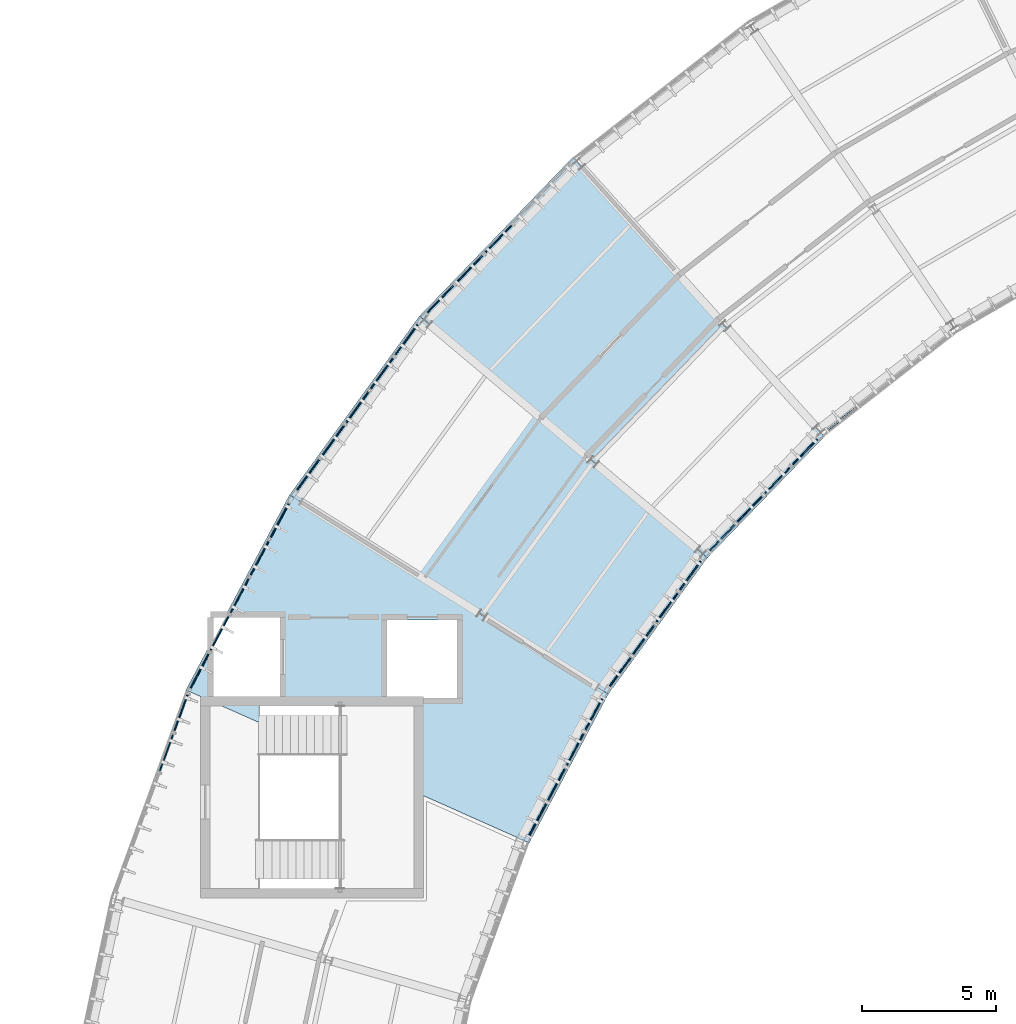
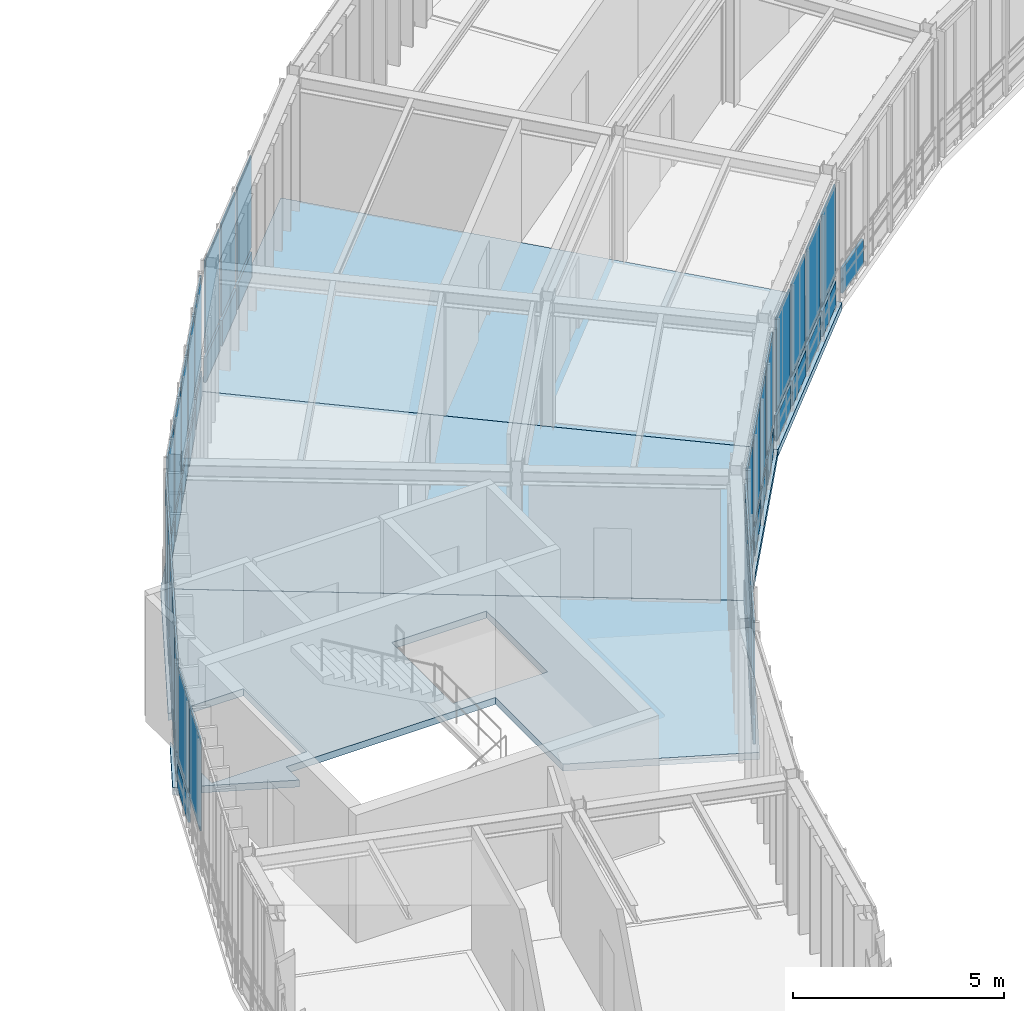
# One storey, part 18 of 42: 54 plates, 3 slabs, 8 elements without a shape of their own.
"""IFC4 building model written with IfcOpenShell, lengths in metres."""

import ifcopenshell
import ifcopenshell.guid

model = None  # the IFC model being written
_history = None  # IfcOwnerHistory: only IFC2X3 demands one
_inside = {}  # id of a spatial element -> (the spatial element, [elements in it])
_under = {}  # id of a project, library or spatial element -> (it, [spatial elements below it])
_declared = {}  # id of a project -> (the project, [libraries it declares])
_typed = {}  # id of a type object -> (the type object, [elements of that type])
_made_of = {}  # id of a material, layer set ... -> (it, [elements and type objects made of it])


def new_model(schema):
    """Start an empty IFC model of exactly this schema.

    Asked for "IFC4X3", IfcOpenShell would pick the latest addendum, in which some entities
    have other attributes; the version numbers below select the first issue.
    IFC2X3 requires an IfcOwnerHistory on every rooted entity: one is made here for all.
    """
    global model, _history
    if schema == "IFC4X3":
        model = ifcopenshell.file(schema_version=(4, 3, 0, 0))
    else:
        model = ifcopenshell.file(schema=schema)
    _inside.clear()
    _under.clear()
    _declared.clear()
    _typed.clear()
    _made_of.clear()
    _history = None
    if model.schema == "IFC2X3":
        org = make("IfcOrganization", Name="unknown")
        user = make(
            "IfcPersonAndOrganization",
            ThePerson=make("IfcPerson", FamilyName="unknown"),
            TheOrganization=org,
        )
        app = make(
            "IfcApplication",
            ApplicationDeveloper=org,
            Version="unknown",
            ApplicationFullName="unknown",
            ApplicationIdentifier="unknown",
        )
        _history = make(
            "IfcOwnerHistory",
            OwningUser=user,
            OwningApplication=app,
            ChangeAction="ADDED",
            CreationDate=0,
        )
    return model


def make(cls, **values):
    """One entity of the class cls with the attributes given. An attribute that is None is left unset."""
    return model.create_entity(
        cls, **{name: value for name, value in values.items() if value is not None}
    )


def rooted(cls, **values):
    """An entity with a GlobalId (a new one), such as an element, a storey or a relation."""
    return make(cls, GlobalId=ifcopenshell.guid.new(), OwnerHistory=_history, **values)


def si_unit(unit_type, name, prefix=None):
    """IfcSIUnit, for example si_unit("LENGTHUNIT", "METRE", prefix="MILLI")."""
    return make("IfcSIUnit", UnitType=unit_type, Prefix=prefix, Name=name)


def assignment(units):
    """IfcUnitAssignment: the units of a project."""
    return None if units is None else make("IfcUnitAssignment", Units=units)


def point(xyz):
    """IfcCartesianPoint."""
    return None if xyz is None else make("IfcCartesianPoint", Coordinates=xyz)


def direction(xyz):
    """IfcDirection."""
    return None if xyz is None else make("IfcDirection", DirectionRatios=xyz)


def frame(location, z_axis=None, x_axis=None):
    """IfcAxis2Placement3D, a coordinate frame: its origin and axes. An axis left out is left unset."""
    return make(
        "IfcAxis2Placement3D",
        Location=point(location),
        Axis=direction(z_axis),
        RefDirection=direction(x_axis),
    )


def frame_2d(location, x_axis=None):
    """IfcAxis2Placement2D, a coordinate frame in the plane: its origin and x axis."""
    return make(
        "IfcAxis2Placement2D", Location=point(location), RefDirection=direction(x_axis)
    )


def origin():
    """The frame at (0, 0, 0) with its axes left unset."""
    return frame((0.0, 0.0, 0.0))


def origin_2d():
    """The frame at (0, 0) in the plane with its x axis left unset."""
    return frame_2d((0.0, 0.0))


def place(relative_to, where):
    """IfcLocalPlacement: puts the frame where relative to a parent placement (None: the world)."""
    return make(
        "IfcLocalPlacement", PlacementRelTo=relative_to, RelativePlacement=where
    )


def context(
    kind, dimensions, precision=None, world=None, true_north=None, identifier=None
):
    """IfcGeometricRepresentationContext, for example the 3D "Model" context."""
    return make(
        "IfcGeometricRepresentationContext",
        ContextIdentifier=identifier,
        ContextType=kind,
        CoordinateSpaceDimension=dimensions,
        Precision=precision,
        WorldCoordinateSystem=world,
        TrueNorth=true_north,
    )


def subcontext(parent, identifier, kind, view, scale=None):
    """IfcGeometricRepresentationSubContext, for example "Body" below "Model"."""
    return make(
        "IfcGeometricRepresentationSubContext",
        ContextIdentifier=identifier,
        ContextType=kind,
        ParentContext=parent,
        TargetScale=scale,
        TargetView=view,
    )


def project(units=None, contexts=None):
    """IfcProject with its units and contexts."""
    return rooted(
        "IfcProject",
        Name="project",
        RepresentationContexts=contexts,
        UnitsInContext=assignment(units),
    )


def spatial(cls, under=None, at=None, **own):
    """A site, building, storey or space (cls), placed at a placement, below another one or the project."""
    s = rooted(cls, ObjectPlacement=at, **own)
    if under is not None:
        _under.setdefault(under.id(), (under, []))[1].append(s)
    return s


def polyline(points):
    """IfcPolyline through the points."""
    return make("IfcPolyline", Points=[point(p) for p in points])


def profile(cls, at=None, kind="AREA", **sizes):
    """A parametric profile (cls). Its sizes go by their IFC names, for example OverallWidth=200.0."""
    return make(cls, ProfileType=kind, Position=at, **sizes)


def rectangle(**sizes):
    """IfcRectangleProfileDef."""
    return profile("IfcRectangleProfileDef", **sizes)


def outline(outer, holes=None, kind="AREA"):
    """IfcArbitraryClosedProfileDef: a profile drawn as a closed curve; with holes, ...WithVoids."""
    if holes is None:
        return make("IfcArbitraryClosedProfileDef", ProfileType=kind, OuterCurve=outer)
    return make(
        "IfcArbitraryProfileDefWithVoids",
        ProfileType=kind,
        OuterCurve=outer,
        InnerCurves=holes,
    )


def extrude(swept, where, along, depth):
    """IfcExtrudedAreaSolid: the profile swept, set in the frame where, extruded along a direction by depth."""
    return make(
        "IfcExtrudedAreaSolid",
        SweptArea=swept,
        Position=where,
        ExtrudedDirection=direction(along),
        Depth=depth,
    )


def shape(context_of_items, identifier, shape_type, items):
    """IfcShapeRepresentation: the items that make up one representation, for example the "Body"."""
    return make(
        "IfcShapeRepresentation",
        ContextOfItems=context_of_items,
        RepresentationIdentifier=identifier,
        RepresentationType=shape_type,
        Items=items,
    )


def material(Name=None, Category=None):
    """IfcMaterial."""
    return make("IfcMaterial", Name=Name, Category=Category)


def layer(
    of_material, thickness, ventilated=None, Name=None, Category=None, Priority=None
):
    """IfcMaterialLayer: one layer of a wall or slab, of a material (None: an air gap)."""
    return make(
        "IfcMaterialLayer",
        Material=of_material,
        LayerThickness=thickness,
        IsVentilated=ventilated,
        Name=Name,
        Category=Category,
        Priority=Priority,
    )


def layer_set(layers, Name=None):
    """IfcMaterialLayerSet."""
    return make("IfcMaterialLayerSet", MaterialLayers=layers, LayerSetName=Name)


def made_of(thing, what):
    """Note that an element or type object is made of a material, layer set ...; save() writes the relation."""
    if what is not None:
        _made_of.setdefault(what.id(), (what, []))[1].append(thing)
    return thing


def type_object(cls, material=None, **own):
    """A type object (cls), such as IfcWallType, which elements share."""
    return made_of(rooted(cls, **own), material)


def element(
    cls,
    number,
    at=None,
    inside=None,
    cuts=None,
    type_object=None,
    material=None,
    context=None,
    identifier="Body",
    shape_type=None,
    held_by="IfcProductDefinitionShape",
    body=None,
    shapes=None,
    **own,
):
    """One element of the class cls, such as IfcWall. Its Tag is "e" and its number.

    at: its placement. inside: the storey or other place that contains it. cuts: it is an
    opening in that element (IfcRelVoidsElement). A single representation is given by context,
    identifier, shape_type and body (its items); several are given by shapes. held_by: the class
    of the entity that holds the representations. save() writes the other relations.
    """
    e = rooted(cls, Tag="e%d" % number, ObjectPlacement=at, **own)
    if body is not None:
        shapes = [shape(context, identifier, shape_type, body)]
    if shapes is not None:
        e.Representation = make(held_by, Representations=shapes)
    if inside is not None:
        _inside.setdefault(inside.id(), (inside, []))[1].append(e)
    if cuts is not None:
        rooted(
            "IfcRelVoidsElement", RelatingBuildingElement=cuts, RelatedOpeningElement=e
        )
    if type_object is not None:
        _typed.setdefault(type_object.id(), (type_object, []))[1].append(e)
    return made_of(e, material)


def aggregate(whole, parts):
    """IfcRelAggregates: a whole, such as a stair, and the parts it consists of."""
    return rooted("IfcRelAggregates", RelatingObject=whole, RelatedObjects=parts)


def save(model, path):
    """Write the relations noted so far, then the file.

    IfcRelAggregates (storeys below a building ...), IfcRelContainedInSpatialStructure (elements
    in a storey), IfcRelDefinesByType, IfcRelAssociatesMaterial and IfcRelDeclares: one each for
    every whole, place, type object, material and project.
    """
    for whole, parts in _under.values():
        aggregate(whole, parts)
    for where, things in _inside.values():
        rooted(
            "IfcRelContainedInSpatialStructure",
            RelatedElements=things,
            RelatingStructure=where,
        )
    for kind, things in _typed.values():
        rooted("IfcRelDefinesByType", RelatedObjects=things, RelatingType=kind)
    for what, things in _made_of.values():
        rooted("IfcRelAssociatesMaterial", RelatedObjects=things, RelatingMaterial=what)
    for by, libraries in _declared.values():
        rooted("IfcRelDeclares", RelatingContext=by, RelatedDefinitions=libraries)
    model.write(path)


model = new_model("IFC4")

# Units and contexts
model_context = context("Model", 3, precision=1e-05, world=origin(), true_north=direction((0.0, 1.0)))
body_context = subcontext(model_context, "Body", "Model", "MODEL_VIEW")
ifc_project = project(units=[si_unit("LENGTHUNIT", "METRE"), si_unit("AREAUNIT", "SQUARE_METRE"), si_unit("VOLUMEUNIT", "CUBIC_METRE"), si_unit("PLANEANGLEUNIT", "RADIAN"), si_unit("MASSUNIT", "GRAM", prefix="KILO"), si_unit("THERMODYNAMICTEMPERATUREUNIT", "KELVIN"), si_unit("POWERUNIT", "WATT")], contexts=[model_context])

# Site, building, storey
site_placement = place(None, origin())
site = spatial("IfcSite", under=ifc_project, at=site_placement, CompositionType="ELEMENT")
building_placement = place(site_placement, origin())
building = spatial("IfcBuilding", under=site, at=building_placement, Name="Solvatero Civic Police Headquarters", CompositionType="ELEMENT")
storey_placement = place(building_placement, frame((0.0, 0.0, 21.60009765625)))
storey = spatial("IfcBuildingStorey", under=building, at=storey_placement, Name="L05", CompositionType="ELEMENT", Elevation=21.60009765625)

# Curtain wall, plates
ifc_material_1 = material(Name="Anodized Bronze Aluminium", Category="aluminium")
ifc_layer_1 = layer(ifc_material_1, 0.179931640625)
ifc_layer_set_1 = layer_set([ifc_layer_1], Name="Anodized Bronze Aluminium")
curtain_wall_type_1 = type_object("IfcCurtainWallType", Name="CW-ARC-OUT", PredefinedType="USERDEFINED", material=ifc_layer_set_1)
curtain_wall_1_placement = place(storey_placement, origin())
curtain_wall_1 = element("IfcCurtainWall", 1, at=curtain_wall_1_placement, inside=storey, type_object=curtain_wall_type_1, Name="Curtain Wall CW-R2-L05-ARC-OUT-B07", ObjectType="UNITISED", PredefinedType="USERDEFINED")
ifc_material_2 = material(Name="Triple Low-E Laminated Glass", Category="glass")
ifc_layer_2 = layer(ifc_material_2, 0.0380859375)
ifc_layer_set_2 = layer_set([ifc_layer_2], Name="Triple Low-E Laminated Glass")
plate_type_1 = type_object("IfcPlateType", Name="CWP-GLZ-38", PredefinedType="CURTAIN_PANEL", material=ifc_layer_set_2)
plate_1_placement = place(storey_placement, frame((51.7451171875, 66.798095703125, 0.909912109375), z_axis=(0.0, 0.0, 1.0), x_axis=(-0.694658370459, -0.719339800339, 0.0)))
plate_1 = element("IfcPlate", 2, at=plate_1_placement, type_object=plate_type_1, Name="CW-R2-L05-ARC-OUT-B07 Vision Glazing 3", PredefinedType="CURTAIN_PANEL", context=body_context, shape_type="SweptSolid", body=[
    extrude(rectangle(XDim=1.37841796875, YDim=0.0380859375, at=origin_2d()), origin(), (0.0, 0.0, 1.0), 2.669921875),
])
plate_2_placement = place(storey_placement, frame((49.579833984375, 64.55615234375, 0.909912109375), z_axis=(0.0, 0.0, 1.0), x_axis=(-0.694658370459, -0.719339800339, 0.0)))
plate_2 = element("IfcPlate", 3, at=plate_2_placement, type_object=plate_type_1, Name="CW-R2-L05-ARC-OUT-B07 Vision Glazing 5", PredefinedType="CURTAIN_PANEL", context=body_context, shape_type="SweptSolid", body=[
    extrude(rectangle(XDim=1.37841796875, YDim=0.0380859375, at=origin_2d()), origin(), (0.0, 0.0, 1.0), 2.669921875),
])

ifc_layer_3 = layer(ifc_material_1, 0.179931640625)
ifc_layer_set_3 = layer_set([ifc_layer_3], Name="Anodized Bronze Aluminium")
curtain_wall_type_2 = type_object("IfcCurtainWallType", Name="CW-ARC-IN", PredefinedType="USERDEFINED", material=ifc_layer_set_3)
curtain_wall_2_placement = place(storey_placement, origin())
curtain_wall_2 = element("IfcCurtainWall", 4, at=curtain_wall_2_placement, inside=storey, type_object=curtain_wall_type_2, Name="Curtain Wall CW-R2-L05-ARC-IN-B07", ObjectType="UNITISED", PredefinedType="USERDEFINED")
plate_3_placement = place(storey_placement, frame((62.134521484375, 57.796875, 0.909912109375), z_axis=(0.0, 0.0, 1.0), x_axis=(-0.694658370459, -0.719339800339, 0.0)))
plate_3 = element("IfcPlate", 5, at=plate_3_placement, type_object=plate_type_1, Name="CW-R2-L05-ARC-IN-B07 Vision Glazing 2", PredefinedType="CURTAIN_PANEL", context=body_context, shape_type="SweptSolid", body=[
    extrude(rectangle(XDim=1.30419921875, YDim=0.0380859375, at=origin_2d()), origin(), (0.0, 0.0, 1.0), 2.669921875),
])
plate_4_placement = place(storey_placement, frame((60.072509765625, 55.66162109375, 0.909912109375), z_axis=(0.0, 0.0, 1.0), x_axis=(-0.694658370459, -0.719339800339, 0.0)))
plate_4 = element("IfcPlate", 6, at=plate_4_placement, type_object=plate_type_1, Name="CW-R2-L05-ARC-IN-B07 Vision Glazing 4", PredefinedType="CURTAIN_PANEL", context=body_context, shape_type="SweptSolid", body=[
    extrude(rectangle(XDim=1.30419921875, YDim=0.0380859375, at=origin_2d()), origin(), (0.0, 0.0, 1.0), 2.669921875),
])

curtain_wall_3_placement = place(storey_placement, origin())
curtain_wall_3 = element("IfcCurtainWall", 7, at=curtain_wall_3_placement, inside=storey, type_object=curtain_wall_type_1, Name="Curtain Wall CW-R2-L05-ARC-OUT-B08", ObjectType="UNITISED", PredefinedType="USERDEFINED")
plate_5_placement = place(storey_placement, frame((48.316162109375, 63.05029296875, 0.909912109375), z_axis=(0.0, 0.0, 1.0), x_axis=(-0.587785252292, -0.809016994375, 0.0)))
plate_5 = element("IfcPlate", 8, at=plate_5_placement, type_object=plate_type_1, Name="CW-R2-L05-ARC-OUT-B08 Vision Glazing 1", PredefinedType="CURTAIN_PANEL", context=body_context, shape_type="SweptSolid", body=[
    extrude(rectangle(XDim=1.37841796875, YDim=0.0380859375, at=origin_2d()), origin(), (0.0, 0.0, 1.0), 2.669921875),
])
plate_6_placement = place(storey_placement, frame((46.484130859375, 60.528564453125, 0.909912109375), z_axis=(0.0, 0.0, 1.0), x_axis=(-0.587785252292, -0.809016994375, 0.0)))
plate_6 = element("IfcPlate", 9, at=plate_6_placement, type_object=plate_type_1, Name="CW-R2-L05-ARC-OUT-B08 Vision Glazing 3", PredefinedType="CURTAIN_PANEL", context=body_context, shape_type="SweptSolid", body=[
    extrude(rectangle(XDim=1.37841796875, YDim=0.0380859375, at=origin_2d()), origin(), (0.0, 0.0, 1.0), 2.669921875),
])
plate_7_placement = place(storey_placement, frame((44.65185546875, 58.0068359375, 0.909912109375), z_axis=(0.0, 0.0, 1.0), x_axis=(-0.587785252292, -0.809016994375, 0.0)))
plate_7 = element("IfcPlate", 10, at=plate_7_placement, type_object=plate_type_1, Name="CW-R2-L05-ARC-OUT-B08 Vision Glazing 5", PredefinedType="CURTAIN_PANEL", context=body_context, shape_type="SweptSolid", body=[
    extrude(rectangle(XDim=1.37841796875, YDim=0.0380859375, at=origin_2d()), origin(), (0.0, 0.0, 1.0), 2.669921875),
])

curtain_wall_4_placement = place(storey_placement, origin())
curtain_wall_4 = element("IfcCurtainWall", 11, at=curtain_wall_4_placement, inside=storey, type_object=curtain_wall_type_2, Name="Curtain Wall CW-R2-L05-ARC-IN-B08", ObjectType="UNITISED", PredefinedType="USERDEFINED")
plate_8_placement = place(storey_placement, frame((58.025146484375, 53.060791015625, 0.909912109375), z_axis=(0.0, 0.0, 1.0), x_axis=(-0.587785252292, -0.809016994375, 0.0)))
plate_8 = element("IfcPlate", 12, at=plate_8_placement, type_object=plate_type_1, Name="CW-R2-L05-ARC-IN-B08 Vision Glazing 2", PredefinedType="CURTAIN_PANEL", context=body_context, shape_type="SweptSolid", body=[
    extrude(rectangle(XDim=1.30419921875, YDim=0.0380859375, at=origin_2d()), origin(), (0.0, 0.0, 1.0), 2.669921875),
])
plate_9_placement = place(storey_placement, frame((56.280517578125, 50.6591796875, 0.909912109375), z_axis=(0.0, 0.0, 1.0), x_axis=(-0.587785252292, -0.809016994375, 0.0)))
plate_9 = element("IfcPlate", 13, at=plate_9_placement, type_object=plate_type_1, Name="CW-R2-L05-ARC-IN-B08 Vision Glazing 4", PredefinedType="CURTAIN_PANEL", context=body_context, shape_type="SweptSolid", body=[
    extrude(rectangle(XDim=1.30419921875, YDim=0.0380859375, at=origin_2d()), origin(), (0.0, 0.0, 1.0), 2.669921875),
])

curtain_wall_5_placement = place(storey_placement, origin())
curtain_wall_5 = element("IfcCurtainWall", 14, at=curtain_wall_5_placement, inside=storey, type_object=curtain_wall_type_1, Name="Curtain Wall CW-R2-L05-ARC-OUT-B09", ObjectType="UNITISED", PredefinedType="USERDEFINED")
plate_10_placement = place(storey_placement, frame((43.5927734375, 56.31005859375, 0.909912109375), z_axis=(0.0, 0.0, 1.0), x_axis=(-0.469471562786, -0.882947592859, 0.0)))
plate_10 = element("IfcPlate", 15, at=plate_10_placement, type_object=plate_type_1, Name="CW-R2-L05-ARC-OUT-B09 Vision Glazing 1", PredefinedType="CURTAIN_PANEL", context=body_context, shape_type="SweptSolid", body=[
    extrude(rectangle(XDim=1.40771484375, YDim=0.0380859375, at=origin_2d()), origin(), (0.0, 0.0, 1.0), 2.669921875),
])
plate_11_placement = place(storey_placement, frame((42.10205078125, 53.50634765625, 0.909912109375), z_axis=(0.0, 0.0, 1.0), x_axis=(-0.469471562786, -0.882947592859, 0.0)))
plate_11 = element("IfcPlate", 16, at=plate_11_placement, type_object=plate_type_1, Name="CW-R2-L05-ARC-OUT-B09 Vision Glazing 3", PredefinedType="CURTAIN_PANEL", context=body_context, shape_type="SweptSolid", body=[
    extrude(rectangle(XDim=1.40771484375, YDim=0.0380859375, at=origin_2d()), origin(), (0.0, 0.0, 1.0), 2.669921875),
])
plate_12_placement = place(storey_placement, frame((40.611083984375, 50.70263671875, 0.909912109375), z_axis=(0.0, 0.0, 1.0), x_axis=(-0.469471562786, -0.882947592859, 0.0)))
plate_12 = element("IfcPlate", 17, at=plate_12_placement, type_object=plate_type_1, Name="CW-R2-L05-ARC-OUT-B09 Vision Glazing 5", PredefinedType="CURTAIN_PANEL", context=body_context, shape_type="SweptSolid", body=[
    extrude(rectangle(XDim=1.40771484375, YDim=0.0380859375, at=origin_2d()), origin(), (0.0, 0.0, 1.0), 2.669921875),
])

curtain_wall_6_placement = place(storey_placement, origin())
curtain_wall_6 = element("IfcCurtainWall", 18, at=curtain_wall_6_placement, inside=storey, type_object=curtain_wall_type_2, Name="Curtain Wall CW-R2-L05-ARC-IN-B09", ObjectType="UNITISED", PredefinedType="USERDEFINED")
plate_13_placement = place(storey_placement, frame((54.6044921875, 47.78173828125, 0.909912109375), z_axis=(0.0, 0.0, 1.0), x_axis=(-0.469486973057, -0.8829393989, 0.0)))
plate_13 = element("IfcPlate", 19, at=plate_13_placement, type_object=plate_type_1, Name="CW-R2-L05-ARC-IN-B09 Vision Glazing 2", PredefinedType="CURTAIN_PANEL", context=body_context, shape_type="SweptSolid", body=[
    extrude(rectangle(XDim=1.30419921875, YDim=0.0380859375, at=origin_2d()), origin(), (0.0, 0.0, 1.0), 2.669921875),
])
plate_14_placement = place(storey_placement, frame((53.210693359375, 45.16064453125, 0.909912109375), z_axis=(0.0, 0.0, 1.0), x_axis=(-0.469486973057, -0.8829393989, 0.0)))
plate_14 = element("IfcPlate", 20, at=plate_14_placement, type_object=plate_type_1, Name="CW-R2-L05-ARC-IN-B09 Vision Glazing 4", PredefinedType="CURTAIN_PANEL", context=body_context, shape_type="SweptSolid", body=[
    extrude(rectangle(XDim=1.30419921875, YDim=0.0380859375, at=origin_2d()), origin(), (0.0, 0.0, 1.0), 2.669921875),
])

# Curtain wall, plate
curtain_wall_7_placement = place(storey_placement, origin())
curtain_wall_7 = element("IfcCurtainWall", 21, at=curtain_wall_7_placement, inside=storey, type_object=curtain_wall_type_1, Name="Curtain Wall CW-R2-L05-ARC-OUT-B10", ObjectType="UNITISED", PredefinedType="USERDEFINED")
plate_15_placement = place(storey_placement, frame((39.91845703125, 49.146240234375, 0.909912109375), z_axis=(0.0, 0.0, 1.0), x_axis=(-0.342020143326, -0.939692620786, 0.0)))
plate_15 = element("IfcPlate", 22, at=plate_15_placement, type_object=plate_type_1, Name="CW-R2-L05-ARC-OUT-B10 Vision Glazing 1", PredefinedType="CURTAIN_PANEL", context=body_context, shape_type="SweptSolid", body=[
    extrude(rectangle(XDim=1.40771484375, YDim=0.0380859375, at=origin_2d()), origin(), (0.0, 0.0, 1.0), 2.669921875),
])

# Plate
ifc_material_3 = material(Name="Acoustic Ballistic Laminated Glass", Category="glass")
ifc_layer_4 = layer(ifc_material_3, 0.0439453125)
ifc_layer_set_4 = layer_set([ifc_layer_4], Name="Acoustic Ballistic Laminated Glass")
plate_type_2 = type_object("IfcPlateType", Name="CWP-GLZ-44", PredefinedType="CURTAIN_PANEL", material=ifc_layer_set_4)
plate_16_placement = place(storey_placement, frame((50.662353515625, 65.67724609375, 0.909912109375), z_axis=(0.0, 0.0, 1.0), x_axis=(-0.694658370459, -0.719339800339, 0.0)))
plate_16 = element("IfcPlate", 23, at=plate_16_placement, type_object=plate_type_2, Name="CW-R2-L05-ARC-OUT-B07 Vision Glazing 4", PredefinedType="CURTAIN_PANEL", context=body_context, shape_type="SweptSolid", body=[
    extrude(rectangle(XDim=1.37841796875, YDim=0.0439453125, at=origin_2d()), origin(), (0.0, 0.0, 1.0), 2.669921875),
])

plate_17_placement = place(storey_placement, frame((63.16552734375, 58.864501953125, 0.909912109375), z_axis=(0.0, 0.0, 1.0), x_axis=(-0.694658370459, -0.719339800339, 0.0)))
plate_17 = element("IfcPlate", 24, at=plate_17_placement, type_object=plate_type_2, Name="CW-R2-L05-ARC-IN-B07 Vision Glazing 1", PredefinedType="CURTAIN_PANEL", context=body_context, shape_type="SweptSolid", body=[
    extrude(rectangle(XDim=1.30419921875, YDim=0.0439453125, at=origin_2d()), origin(), (0.0, 0.0, 1.0), 2.669921875),
])

plate_18_placement = place(storey_placement, frame((61.103515625, 56.729248046875, 0.909912109375), z_axis=(0.0, 0.0, 1.0), x_axis=(-0.694658370459, -0.719339800339, 0.0)))
plate_18 = element("IfcPlate", 25, at=plate_18_placement, type_object=plate_type_2, Name="CW-R2-L05-ARC-IN-B07 Vision Glazing 3", PredefinedType="CURTAIN_PANEL", context=body_context, shape_type="SweptSolid", body=[
    extrude(rectangle(XDim=1.30419921875, YDim=0.0439453125, at=origin_2d()), origin(), (0.0, 0.0, 1.0), 2.669921875),
])

plate_19_placement = place(storey_placement, frame((47.400146484375, 61.789306640625, 0.909912109375), z_axis=(0.0, 0.0, 1.0), x_axis=(-0.587785252292, -0.809016994375, 0.0)))
plate_19 = element("IfcPlate", 26, at=plate_19_placement, type_object=plate_type_2, Name="CW-R2-L05-ARC-OUT-B08 Vision Glazing 2", PredefinedType="CURTAIN_PANEL", context=body_context, shape_type="SweptSolid", body=[
    extrude(rectangle(XDim=1.37841796875, YDim=0.0439453125, at=origin_2d()), origin(), (0.0, 0.0, 1.0), 2.669921875),
])

plate_20_placement = place(storey_placement, frame((45.568115234375, 59.267578125, 0.909912109375), z_axis=(0.0, 0.0, 1.0), x_axis=(-0.587785252292, -0.809016994375, 0.0)))
plate_20 = element("IfcPlate", 27, at=plate_20_placement, type_object=plate_type_2, Name="CW-R2-L05-ARC-OUT-B08 Vision Glazing 4", PredefinedType="CURTAIN_PANEL", context=body_context, shape_type="SweptSolid", body=[
    extrude(rectangle(XDim=1.37841796875, YDim=0.0439453125, at=origin_2d()), origin(), (0.0, 0.0, 1.0), 2.669921875),
])

plate_21_placement = place(storey_placement, frame((58.897705078125, 54.261474609375, 0.909912109375), z_axis=(0.0, 0.0, 1.0), x_axis=(-0.587785252292, -0.809016994375, 0.0)))
plate_21 = element("IfcPlate", 28, at=plate_21_placement, type_object=plate_type_2, Name="CW-R2-L05-ARC-IN-B08 Vision Glazing 1", PredefinedType="CURTAIN_PANEL", context=body_context, shape_type="SweptSolid", body=[
    extrude(rectangle(XDim=1.30419921875, YDim=0.0439453125, at=origin_2d()), origin(), (0.0, 0.0, 1.0), 2.669921875),
])

plate_22_placement = place(storey_placement, frame((57.15283203125, 51.85986328125, 0.909912109375), z_axis=(0.0, 0.0, 1.0), x_axis=(-0.587785252292, -0.809016994375, 0.0)))
plate_22 = element("IfcPlate", 29, at=plate_22_placement, type_object=plate_type_2, Name="CW-R2-L05-ARC-IN-B08 Vision Glazing 3", PredefinedType="CURTAIN_PANEL", context=body_context, shape_type="SweptSolid", body=[
    extrude(rectangle(XDim=1.30419921875, YDim=0.0439453125, at=origin_2d()), origin(), (0.0, 0.0, 1.0), 2.669921875),
])

plate_23_placement = place(storey_placement, frame((42.847412109375, 54.908203125, 0.909912109375), z_axis=(0.0, 0.0, 1.0), x_axis=(-0.469471562786, -0.882947592859, 0.0)))
plate_23 = element("IfcPlate", 30, at=plate_23_placement, type_object=plate_type_2, Name="CW-R2-L05-ARC-OUT-B09 Vision Glazing 2", PredefinedType="CURTAIN_PANEL", context=body_context, shape_type="SweptSolid", body=[
    extrude(rectangle(XDim=1.40771484375, YDim=0.0439453125, at=origin_2d()), origin(), (0.0, 0.0, 1.0), 2.669921875),
])

plate_24_placement = place(storey_placement, frame((41.356689453125, 52.1044921875, 0.909912109375), z_axis=(0.0, 0.0, 1.0), x_axis=(-0.469471562786, -0.882947592859, 0.0)))
plate_24 = element("IfcPlate", 31, at=plate_24_placement, type_object=plate_type_2, Name="CW-R2-L05-ARC-OUT-B09 Vision Glazing 4", PredefinedType="CURTAIN_PANEL", context=body_context, shape_type="SweptSolid", body=[
    extrude(rectangle(XDim=1.40771484375, YDim=0.0439453125, at=origin_2d()), origin(), (0.0, 0.0, 1.0), 2.669921875),
])

plate_25_placement = place(storey_placement, frame((55.30126953125, 49.09228515625, 0.909912109375), z_axis=(0.0, 0.0, 1.0), x_axis=(-0.469486973057, -0.8829393989, 0.0)))
plate_25 = element("IfcPlate", 32, at=plate_25_placement, type_object=plate_type_2, Name="CW-R2-L05-ARC-IN-B09 Vision Glazing 1", PredefinedType="CURTAIN_PANEL", context=body_context, shape_type="SweptSolid", body=[
    extrude(rectangle(XDim=1.30419921875, YDim=0.0439453125, at=origin_2d()), origin(), (0.0, 0.0, 1.0), 2.669921875),
])

plate_26_placement = place(storey_placement, frame((53.90771484375, 46.47119140625, 0.909912109375), z_axis=(0.0, 0.0, 1.0), x_axis=(-0.469486973057, -0.8829393989, 0.0)))
plate_26 = element("IfcPlate", 33, at=plate_26_placement, type_object=plate_type_2, Name="CW-R2-L05-ARC-IN-B09 Vision Glazing 3", PredefinedType="CURTAIN_PANEL", context=body_context, shape_type="SweptSolid", body=[
    extrude(rectangle(XDim=1.30419921875, YDim=0.0439453125, at=origin_2d()), origin(), (0.0, 0.0, 1.0), 2.669921875),
])

plate_27_placement = place(storey_placement, frame((39.37548828125, 47.654296875, 0.909912109375), z_axis=(0.0, 0.0, 1.0), x_axis=(-0.342020143326, -0.939692620786, 0.0)))
plate_27 = element("IfcPlate", 34, at=plate_27_placement, type_object=plate_type_2, Name="CW-R2-L05-ARC-OUT-B10 Vision Glazing 2", PredefinedType="CURTAIN_PANEL", context=body_context, shape_type="SweptSolid", body=[
    extrude(rectangle(XDim=1.40771484375, YDim=0.0439453125, at=origin_2d()), origin(), (0.0, 0.0, 1.0), 2.669921875),
])

# Curtain wall, plate
curtain_wall_8_placement = place(storey_placement, origin())
curtain_wall_8 = element("IfcCurtainWall", 35, at=curtain_wall_8_placement, inside=storey, type_object=curtain_wall_type_2, Name="Curtain Wall CW-R2-L05-ARC-IN-B06", ObjectType="UNITISED", PredefinedType="USERDEFINED")
ifc_material_4 = material(Name="Insulated Bronze Aluminium Spandrel", Category="aluminium")
ifc_layer_5 = layer(ifc_material_4, 0.06005859375)
ifc_layer_set_5 = layer_set([ifc_layer_5], Name="Insulated Bronze Aluminium Spandrel")
plate_type_3 = type_object("IfcPlateType", Name="CWP-SPN-60", PredefinedType="CURTAIN_PANEL", material=ifc_layer_set_5)
plate_28_placement = place(storey_placement, frame((64.53857421875, 60.100830078125, 0.059814453125), z_axis=(0.0, 0.0, 1.0), x_axis=(-0.788010753607, -0.615661475326, 0.0)))
plate_28 = element("IfcPlate", 36, at=plate_28_placement, type_object=plate_type_3, Name="CW-R2-L05-ARC-IN-B06 Spandrel Panel 4", PredefinedType="CURTAIN_PANEL", context=body_context, shape_type="SweptSolid", body=[
    extrude(rectangle(XDim=1.30419921875, YDim=0.06005859375, at=origin_2d()), origin(), (0.0, 0.0, 1.0), 0.72998046875),
])
aggregate(curtain_wall_8, [plate_28])

# Plate
plate_29_placement = place(storey_placement, frame((51.7451171875, 66.798095703125, 0.059814453125), z_axis=(0.0, 0.0, 1.0), x_axis=(-0.694658370459, -0.719339800339, 0.0)))
plate_29 = element("IfcPlate", 37, at=plate_29_placement, type_object=plate_type_3, Name="CW-R2-L05-ARC-OUT-B07 Spandrel Panel 3", PredefinedType="CURTAIN_PANEL", context=body_context, shape_type="SweptSolid", body=[
    extrude(rectangle(XDim=1.37841796875, YDim=0.06005859375, at=origin_2d()), origin(), (0.0, 0.0, 1.0), 0.72998046875),
])

plate_30_placement = place(storey_placement, frame((49.579833984375, 64.55615234375, 0.059814453125), z_axis=(0.0, 0.0, 1.0), x_axis=(-0.694658370459, -0.719339800339, 0.0)))
plate_30 = element("IfcPlate", 38, at=plate_30_placement, type_object=plate_type_3, Name="CW-R2-L05-ARC-OUT-B07 Spandrel Panel 5", PredefinedType="CURTAIN_PANEL", context=body_context, shape_type="SweptSolid", body=[
    extrude(rectangle(XDim=1.37841796875, YDim=0.06005859375, at=origin_2d()), origin(), (0.0, 0.0, 1.0), 0.72998046875),
])

plate_31_placement = place(storey_placement, frame((62.134521484375, 57.796875, 0.059814453125), z_axis=(0.0, 0.0, 1.0), x_axis=(-0.694658370459, -0.719339800339, 0.0)))
plate_31 = element("IfcPlate", 39, at=plate_31_placement, type_object=plate_type_3, Name="CW-R2-L05-ARC-IN-B07 Spandrel Panel 2", PredefinedType="CURTAIN_PANEL", context=body_context, shape_type="SweptSolid", body=[
    extrude(rectangle(XDim=1.30419921875, YDim=0.06005859375, at=origin_2d()), origin(), (0.0, 0.0, 1.0), 0.72998046875),
])

plate_32_placement = place(storey_placement, frame((60.072509765625, 55.66162109375, 0.059814453125), z_axis=(0.0, 0.0, 1.0), x_axis=(-0.694658370459, -0.719339800339, 0.0)))
plate_32 = element("IfcPlate", 40, at=plate_32_placement, type_object=plate_type_3, Name="CW-R2-L05-ARC-IN-B07 Spandrel Panel 4", PredefinedType="CURTAIN_PANEL", context=body_context, shape_type="SweptSolid", body=[
    extrude(rectangle(XDim=1.30419921875, YDim=0.06005859375, at=origin_2d()), origin(), (0.0, 0.0, 1.0), 0.72998046875),
])

plate_33_placement = place(storey_placement, frame((48.316162109375, 63.05029296875, 0.059814453125), z_axis=(0.0, 0.0, 1.0), x_axis=(-0.587785252292, -0.809016994375, 0.0)))
plate_33 = element("IfcPlate", 41, at=plate_33_placement, type_object=plate_type_3, Name="CW-R2-L05-ARC-OUT-B08 Spandrel Panel 1", PredefinedType="CURTAIN_PANEL", context=body_context, shape_type="SweptSolid", body=[
    extrude(rectangle(XDim=1.37841796875, YDim=0.06005859375, at=origin_2d()), origin(), (0.0, 0.0, 1.0), 0.72998046875),
])

plate_34_placement = place(storey_placement, frame((46.484130859375, 60.528564453125, 0.059814453125), z_axis=(0.0, 0.0, 1.0), x_axis=(-0.587785252292, -0.809016994375, 0.0)))
plate_34 = element("IfcPlate", 42, at=plate_34_placement, type_object=plate_type_3, Name="CW-R2-L05-ARC-OUT-B08 Spandrel Panel 3", PredefinedType="CURTAIN_PANEL", context=body_context, shape_type="SweptSolid", body=[
    extrude(rectangle(XDim=1.37841796875, YDim=0.06005859375, at=origin_2d()), origin(), (0.0, 0.0, 1.0), 0.72998046875),
])

plate_35_placement = place(storey_placement, frame((44.65185546875, 58.0068359375, 0.059814453125), z_axis=(0.0, 0.0, 1.0), x_axis=(-0.587785252292, -0.809016994375, 0.0)))
plate_35 = element("IfcPlate", 43, at=plate_35_placement, type_object=plate_type_3, Name="CW-R2-L05-ARC-OUT-B08 Spandrel Panel 5", PredefinedType="CURTAIN_PANEL", context=body_context, shape_type="SweptSolid", body=[
    extrude(rectangle(XDim=1.37841796875, YDim=0.06005859375, at=origin_2d()), origin(), (0.0, 0.0, 1.0), 0.72998046875),
])

plate_36_placement = place(storey_placement, frame((58.025146484375, 53.060791015625, 0.059814453125), z_axis=(0.0, 0.0, 1.0), x_axis=(-0.587785252292, -0.809016994375, 0.0)))
plate_36 = element("IfcPlate", 44, at=plate_36_placement, type_object=plate_type_3, Name="CW-R2-L05-ARC-IN-B08 Spandrel Panel 2", PredefinedType="CURTAIN_PANEL", context=body_context, shape_type="SweptSolid", body=[
    extrude(rectangle(XDim=1.30419921875, YDim=0.06005859375, at=origin_2d()), origin(), (0.0, 0.0, 1.0), 0.72998046875),
])

plate_37_placement = place(storey_placement, frame((56.280517578125, 50.6591796875, 0.059814453125), z_axis=(0.0, 0.0, 1.0), x_axis=(-0.587785252292, -0.809016994375, 0.0)))
plate_37 = element("IfcPlate", 45, at=plate_37_placement, type_object=plate_type_3, Name="CW-R2-L05-ARC-IN-B08 Spandrel Panel 4", PredefinedType="CURTAIN_PANEL", context=body_context, shape_type="SweptSolid", body=[
    extrude(rectangle(XDim=1.30419921875, YDim=0.06005859375, at=origin_2d()), origin(), (0.0, 0.0, 1.0), 0.72998046875),
])

plate_38_placement = place(storey_placement, frame((43.5927734375, 56.31005859375, 0.059814453125), z_axis=(0.0, 0.0, 1.0), x_axis=(-0.469471562786, -0.882947592859, 0.0)))
plate_38 = element("IfcPlate", 46, at=plate_38_placement, type_object=plate_type_3, Name="CW-R2-L05-ARC-OUT-B09 Spandrel Panel 1", PredefinedType="CURTAIN_PANEL", context=body_context, shape_type="SweptSolid", body=[
    extrude(rectangle(XDim=1.40771484375, YDim=0.06005859375, at=origin_2d()), origin(), (0.0, 0.0, 1.0), 0.72998046875),
])

plate_39_placement = place(storey_placement, frame((42.10205078125, 53.50634765625, 0.059814453125), z_axis=(0.0, 0.0, 1.0), x_axis=(-0.469471562786, -0.882947592859, 0.0)))
plate_39 = element("IfcPlate", 47, at=plate_39_placement, type_object=plate_type_3, Name="CW-R2-L05-ARC-OUT-B09 Spandrel Panel 3", PredefinedType="CURTAIN_PANEL", context=body_context, shape_type="SweptSolid", body=[
    extrude(rectangle(XDim=1.40771484375, YDim=0.06005859375, at=origin_2d()), origin(), (0.0, 0.0, 1.0), 0.72998046875),
])

plate_40_placement = place(storey_placement, frame((40.611083984375, 50.70263671875, 0.059814453125), z_axis=(0.0, 0.0, 1.0), x_axis=(-0.469471562786, -0.882947592859, 0.0)))
plate_40 = element("IfcPlate", 48, at=plate_40_placement, type_object=plate_type_3, Name="CW-R2-L05-ARC-OUT-B09 Spandrel Panel 5", PredefinedType="CURTAIN_PANEL", context=body_context, shape_type="SweptSolid", body=[
    extrude(rectangle(XDim=1.40771484375, YDim=0.06005859375, at=origin_2d()), origin(), (0.0, 0.0, 1.0), 0.72998046875),
])

plate_41_placement = place(storey_placement, frame((54.6044921875, 47.78173828125, 0.059814453125), z_axis=(0.0, 0.0, 1.0), x_axis=(-0.469486973057, -0.8829393989, 0.0)))
plate_41 = element("IfcPlate", 49, at=plate_41_placement, type_object=plate_type_3, Name="CW-R2-L05-ARC-IN-B09 Spandrel Panel 2", PredefinedType="CURTAIN_PANEL", context=body_context, shape_type="SweptSolid", body=[
    extrude(rectangle(XDim=1.30419921875, YDim=0.06005859375, at=origin_2d()), origin(), (0.0, 0.0, 1.0), 0.72998046875),
])

plate_42_placement = place(storey_placement, frame((53.210693359375, 45.16064453125, 0.059814453125), z_axis=(0.0, 0.0, 1.0), x_axis=(-0.469486973057, -0.8829393989, 0.0)))
plate_42 = element("IfcPlate", 50, at=plate_42_placement, type_object=plate_type_3, Name="CW-R2-L05-ARC-IN-B09 Spandrel Panel 4", PredefinedType="CURTAIN_PANEL", context=body_context, shape_type="SweptSolid", body=[
    extrude(rectangle(XDim=1.30419921875, YDim=0.06005859375, at=origin_2d()), origin(), (0.0, 0.0, 1.0), 0.72998046875),
])

plate_43_placement = place(storey_placement, frame((39.91845703125, 49.146240234375, 0.059814453125), z_axis=(0.0, 0.0, 1.0), x_axis=(-0.342020143326, -0.939692620786, 0.0)))
plate_43 = element("IfcPlate", 51, at=plate_43_placement, type_object=plate_type_3, Name="CW-R2-L05-ARC-OUT-B10 Spandrel Panel 1", PredefinedType="CURTAIN_PANEL", context=body_context, shape_type="SweptSolid", body=[
    extrude(rectangle(XDim=1.40771484375, YDim=0.06005859375, at=origin_2d()), origin(), (0.0, 0.0, 1.0), 0.72998046875),
])

aggregate(curtain_wall_7, [plate_43, plate_15, plate_27])

ifc_material_5 = material(Name="Limestone Veneer Spandrel Panel", Category="masonry")
ifc_layer_6 = layer(ifc_material_5, 0.074951171875)
ifc_layer_set_6 = layer_set([ifc_layer_6], Name="Limestone Veneer Spandrel Panel")
plate_type_4 = type_object("IfcPlateType", Name="CWP-SPN-75", PredefinedType="CURTAIN_PANEL", material=ifc_layer_set_6)
plate_44_placement = place(storey_placement, frame((50.662353515625, 65.67724609375, 0.059814453125), z_axis=(0.0, 0.0, 1.0), x_axis=(-0.694658370459, -0.719339800339, 0.0)))
plate_44 = element("IfcPlate", 52, at=plate_44_placement, type_object=plate_type_4, Name="CW-R2-L05-ARC-OUT-B07 Spandrel Panel 4", PredefinedType="CURTAIN_PANEL", context=body_context, shape_type="SweptSolid", body=[
    extrude(rectangle(XDim=1.37841796875, YDim=0.074951171875, at=origin_2d()), origin(), (0.0, 0.0, 1.0), 0.72998046875),
])

aggregate(curtain_wall_1, [plate_29, plate_1, plate_44, plate_16, plate_30, plate_2])

plate_45_placement = place(storey_placement, frame((63.16552734375, 58.864501953125, 0.059814453125), z_axis=(0.0, 0.0, 1.0), x_axis=(-0.694658370459, -0.719339800339, 0.0)))
plate_45 = element("IfcPlate", 53, at=plate_45_placement, type_object=plate_type_4, Name="CW-R2-L05-ARC-IN-B07 Spandrel Panel 1", PredefinedType="CURTAIN_PANEL", context=body_context, shape_type="SweptSolid", body=[
    extrude(rectangle(XDim=1.30419921875, YDim=0.074951171875, at=origin_2d()), origin(), (0.0, 0.0, 1.0), 0.72998046875),
])

plate_46_placement = place(storey_placement, frame((61.103515625, 56.729248046875, 0.059814453125), z_axis=(0.0, 0.0, 1.0), x_axis=(-0.694658370459, -0.719339800339, 0.0)))
plate_46 = element("IfcPlate", 54, at=plate_46_placement, type_object=plate_type_4, Name="CW-R2-L05-ARC-IN-B07 Spandrel Panel 3", PredefinedType="CURTAIN_PANEL", context=body_context, shape_type="SweptSolid", body=[
    extrude(rectangle(XDim=1.30419921875, YDim=0.074951171875, at=origin_2d()), origin(), (0.0, 0.0, 1.0), 0.72998046875),
])

aggregate(curtain_wall_2, [plate_45, plate_17, plate_31, plate_3, plate_46, plate_18, plate_32, plate_4])

plate_47_placement = place(storey_placement, frame((47.400146484375, 61.789306640625, 0.059814453125), z_axis=(0.0, 0.0, 1.0), x_axis=(-0.587785252292, -0.809016994375, 0.0)))
plate_47 = element("IfcPlate", 55, at=plate_47_placement, type_object=plate_type_4, Name="CW-R2-L05-ARC-OUT-B08 Spandrel Panel 2", PredefinedType="CURTAIN_PANEL", context=body_context, shape_type="SweptSolid", body=[
    extrude(rectangle(XDim=1.37841796875, YDim=0.074951171875, at=origin_2d()), origin(), (0.0, 0.0, 1.0), 0.72998046875),
])

plate_48_placement = place(storey_placement, frame((45.568115234375, 59.267578125, 0.059814453125), z_axis=(0.0, 0.0, 1.0), x_axis=(-0.587785252292, -0.809016994375, 0.0)))
plate_48 = element("IfcPlate", 56, at=plate_48_placement, type_object=plate_type_4, Name="CW-R2-L05-ARC-OUT-B08 Spandrel Panel 4", PredefinedType="CURTAIN_PANEL", context=body_context, shape_type="SweptSolid", body=[
    extrude(rectangle(XDim=1.37841796875, YDim=0.074951171875, at=origin_2d()), origin(), (0.0, 0.0, 1.0), 0.72998046875),
])

aggregate(curtain_wall_3, [plate_33, plate_5, plate_47, plate_19, plate_34, plate_6, plate_48, plate_20, plate_35, plate_7])

plate_49_placement = place(storey_placement, frame((58.897705078125, 54.261474609375, 0.059814453125), z_axis=(0.0, 0.0, 1.0), x_axis=(-0.587785252292, -0.809016994375, 0.0)))
plate_49 = element("IfcPlate", 57, at=plate_49_placement, type_object=plate_type_4, Name="CW-R2-L05-ARC-IN-B08 Spandrel Panel 1", PredefinedType="CURTAIN_PANEL", context=body_context, shape_type="SweptSolid", body=[
    extrude(rectangle(XDim=1.30419921875, YDim=0.074951171875, at=origin_2d()), origin(), (0.0, 0.0, 1.0), 0.72998046875),
])

plate_50_placement = place(storey_placement, frame((57.15283203125, 51.85986328125, 0.059814453125), z_axis=(0.0, 0.0, 1.0), x_axis=(-0.587785252292, -0.809016994375, 0.0)))
plate_50 = element("IfcPlate", 58, at=plate_50_placement, type_object=plate_type_4, Name="CW-R2-L05-ARC-IN-B08 Spandrel Panel 3", PredefinedType="CURTAIN_PANEL", context=body_context, shape_type="SweptSolid", body=[
    extrude(rectangle(XDim=1.30419921875, YDim=0.074951171875, at=origin_2d()), origin(), (0.0, 0.0, 1.0), 0.72998046875),
])

aggregate(curtain_wall_4, [plate_49, plate_21, plate_36, plate_8, plate_50, plate_22, plate_37, plate_9])

plate_51_placement = place(storey_placement, frame((42.847412109375, 54.908203125, 0.059814453125), z_axis=(0.0, 0.0, 1.0), x_axis=(-0.469471562786, -0.882947592859, 0.0)))
plate_51 = element("IfcPlate", 59, at=plate_51_placement, type_object=plate_type_4, Name="CW-R2-L05-ARC-OUT-B09 Spandrel Panel 2", PredefinedType="CURTAIN_PANEL", context=body_context, shape_type="SweptSolid", body=[
    extrude(rectangle(XDim=1.40771484375, YDim=0.074951171875, at=origin_2d()), origin(), (0.0, 0.0, 1.0), 0.72998046875),
])

plate_52_placement = place(storey_placement, frame((41.356689453125, 52.1044921875, 0.059814453125), z_axis=(0.0, 0.0, 1.0), x_axis=(-0.469471562786, -0.882947592859, 0.0)))
plate_52 = element("IfcPlate", 60, at=plate_52_placement, type_object=plate_type_4, Name="CW-R2-L05-ARC-OUT-B09 Spandrel Panel 4", PredefinedType="CURTAIN_PANEL", context=body_context, shape_type="SweptSolid", body=[
    extrude(rectangle(XDim=1.40771484375, YDim=0.074951171875, at=origin_2d()), origin(), (0.0, 0.0, 1.0), 0.72998046875),
])

aggregate(curtain_wall_5, [plate_38, plate_10, plate_51, plate_23, plate_39, plate_11, plate_52, plate_24, plate_40, plate_12])

plate_53_placement = place(storey_placement, frame((55.30126953125, 49.09228515625, 0.059814453125), z_axis=(0.0, 0.0, 1.0), x_axis=(-0.469486973057, -0.8829393989, 0.0)))
plate_53 = element("IfcPlate", 61, at=plate_53_placement, type_object=plate_type_4, Name="CW-R2-L05-ARC-IN-B09 Spandrel Panel 1", PredefinedType="CURTAIN_PANEL", context=body_context, shape_type="SweptSolid", body=[
    extrude(rectangle(XDim=1.30419921875, YDim=0.074951171875, at=origin_2d()), origin(), (0.0, 0.0, 1.0), 0.72998046875),
])

plate_54_placement = place(storey_placement, frame((53.90771484375, 46.47119140625, 0.059814453125), z_axis=(0.0, 0.0, 1.0), x_axis=(-0.469486973057, -0.8829393989, 0.0)))
plate_54 = element("IfcPlate", 62, at=plate_54_placement, type_object=plate_type_4, Name="CW-R2-L05-ARC-IN-B09 Spandrel Panel 3", PredefinedType="CURTAIN_PANEL", context=body_context, shape_type="SweptSolid", body=[
    extrude(rectangle(XDim=1.30419921875, YDim=0.074951171875, at=origin_2d()), origin(), (0.0, 0.0, 1.0), 0.72998046875),
])

aggregate(curtain_wall_6, [plate_53, plate_25, plate_41, plate_13, plate_54, plate_26, plate_42, plate_14])

# Slabs
ifc_material_6 = material(Name="Concrete C35/45", Category="concrete")
ifc_layer_7 = layer(ifc_material_6, 0.199951171875)
ifc_layer_set_7 = layer_set([ifc_layer_7], Name="Concrete C35/45")
slab_type = type_object("IfcSlabType", Name="SLB-COMP-200", PredefinedType="FLOOR", material=ifc_layer_set_7)
slab_1_placement = place(storey_placement, frame((0.0, 0.0, -0.2001953125)))
element("IfcSlab", 63, at=slab_1_placement, inside=storey, type_object=slab_type, Name="L05 Operations Arc Floor Slab Bay 7", PredefinedType="FLOOR", context=body_context, shape_type="SweptSolid", body=[
    extrude(outline(polyline([(54.52001953125, 69.843994140625), (63.8876953125, 59.440185546875), (59.528076171875, 54.92529296875), (48.803466796875, 63.924560546875), (54.52001953125, 69.843994140625)])), origin(), (0.0, 0.0, 1.0), 0.2001953125),
])
slab_2_placement = place(storey_placement, frame((0.0, 0.0, -0.2001953125)))
element("IfcSlab", 64, at=slab_2_placement, inside=storey, type_object=slab_type, Name="L05 Operations Arc Floor Slab Bay 8", PredefinedType="FLOOR", context=body_context, shape_type="SweptSolid", body=[
    extrude(outline(polyline([(48.80224609375, 63.9228515625), (59.52685546875, 54.923828125), (55.837890625, 49.846435546875), (43.965087890625, 57.26513671875), (48.80224609375, 63.9228515625)])), origin(), (0.0, 0.0, 1.0), 0.2001953125),
])
slab_3_placement = place(storey_placement, frame((0.0, 0.0, -0.2001953125)))
element("IfcSlab", 65, at=slab_3_placement, inside=storey, type_object=slab_type, Name="L05 Operations Arc Floor Slab Bay 9", PredefinedType="FLOOR", context=body_context, shape_type="SweptSolid", body=[
    extrude(outline(polyline([(52.890380859375, 44.302978515625), (48.60009765625, 46.21337890625), (48.60009765625, 49.39990234375), (42.860107421875, 49.39990234375), (42.860107421875, 48.76904296875), (40.100830078125, 49.99755859375), (41.0, 51.688720703125), (41.0, 49.699951171875), (43.60009765625, 49.699951171875), (43.60009765625, 52.699951171875), (41.537841796875, 52.699951171875), (43.96435546875, 57.263427734375), (55.8369140625, 49.844482421875), (52.890380859375, 44.302978515625)]), holes=[polyline([(50.199951171875, 49.699951171875), (50.199951171875, 52.60009765625), (47.60009765625, 52.60009765625), (47.60009765625, 49.699951171875), (50.199951171875, 49.699951171875)])]), origin(), (0.0, 0.0, 1.0), 0.2001953125),
])

save(model, "model.ifc")
